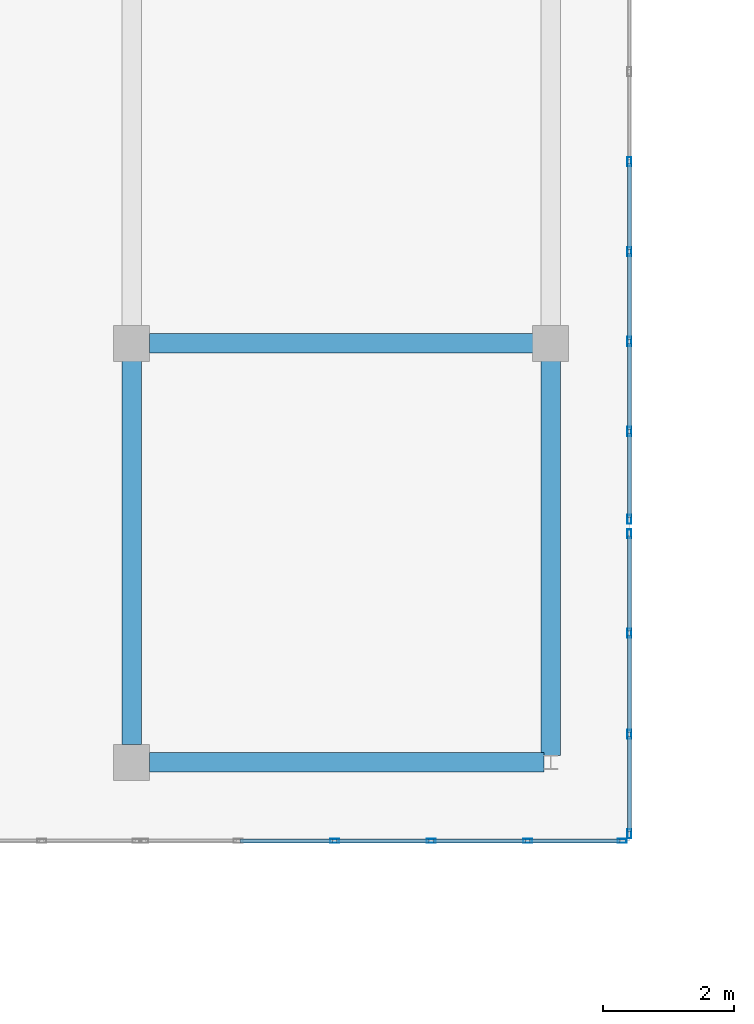
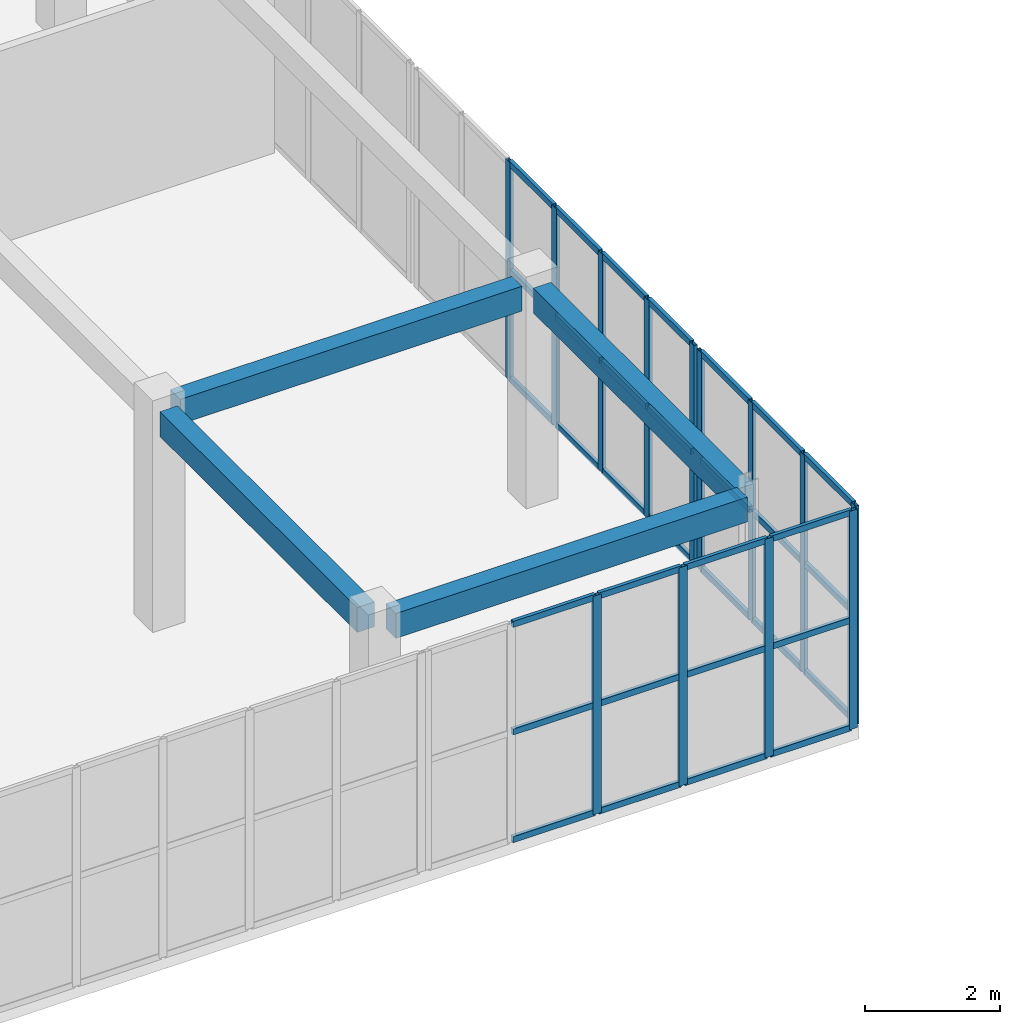
# One storey, part 42 of 140: 46 members, 4 beams, 3 elements without a shape of their own.
"""IFC4 building model written with IfcOpenShell, lengths in metres."""

from ifc_helpers import new_model, si_unit, direction, frame, origin, origin_2d, place, context, subcontext, project, spatial, rectangle, hollow_rectangle, extrude, material, layer, layer_set, material_profile, profile_set, type_object, element, aggregate, save


model = new_model("IFC4")

# Units and contexts
model_context = context("Model", 3, precision=1e-05, world=origin(), true_north=direction((0.0, 1.0)))
body_context = subcontext(model_context, "Body", "Model", "MODEL_VIEW")
ifc_project = project(units=[si_unit("LENGTHUNIT", "METRE"), si_unit("AREAUNIT", "SQUARE_METRE"), si_unit("VOLUMEUNIT", "CUBIC_METRE"), si_unit("PLANEANGLEUNIT", "RADIAN"), si_unit("MASSUNIT", "GRAM", prefix="KILO")], contexts=[model_context])

# Site, building, storey
site_placement = place(None, origin())
site = spatial("IfcSite", under=ifc_project, at=site_placement, CompositionType="ELEMENT")
building_placement = place(site_placement, origin())
building = spatial("IfcBuilding", under=site, at=building_placement, Name="Trelvath General Hospital", CompositionType="ELEMENT")
storey_placement = place(building_placement, frame((0.0, 0.0, 16.199951171875)))
storey = spatial("IfcBuildingStorey", under=building, at=storey_placement, Name="L04", CompositionType="ELEMENT", Elevation=16.199951171875)

# Beams
ifc_material_1 = material(Name="Concrete C35/45", Category="concrete")
ifc_material_profile_1 = material_profile(ifc_material_1, rectangle(XDim=0.300048828125, YDim=0.449951171875, at=origin_2d()), Name="RCB300x450")
ifc_profile_set_1 = profile_set([ifc_material_profile_1], Name="Concrete C35/45")
beam_type = type_object("IfcBeamType", Name="Beam RC300x450", PredefinedType="BEAM", material=ifc_profile_set_1)
beam_1_placement = place(storey_placement, frame((107.470947265625, 38.39990234375, 3.735107421875), z_axis=(1.0, 0.0, 0.0), x_axis=(0.0, 1.0, 0.0)))
element("IfcBeam", 1, at=beam_1_placement, inside=storey, type_object=beam_type, Name="Cube Interior Ring Beam CUBE-E-T1 L04", PredefinedType="BEAM", context=body_context, shape_type="SweptSolid", body=[
    extrude(rectangle(XDim=0.300048828125, YDim=0.449951171875, at=origin_2d()), origin(), (0.0, 0.0, 1.0), 6.02294921875),
])
for number, where, z_axis, x_axis, name in (
    (2, (107.470947265625, 44.800048828125, 3.735107421875), (1.0, 0.0, 0.0), (0.0, 1.0, 0.0), "Cube Interior Ring Beam CUBE-E-T1 L04"),
    (3, (107.199951171875, 38.6708984375, 3.735107421875), (0.0, 1.0, 0.0), (-1.0, 0.0, 0.0), "Cube Interior Ring Beam CUBE-E-T1 L04"),
):
    element("IfcBeam", number, at=place(storey_placement, frame(where, z_axis=z_axis, x_axis=x_axis)), inside=storey, type_object=beam_type, Name=name, PredefinedType="BEAM", context=body_context, shape_type="SweptSolid", body=[
        extrude(rectangle(XDim=0.300048828125, YDim=0.449951171875, at=origin_2d()), origin(), (0.0, 0.0, 1.0), 5.858154296875),
    ])
beam_2_placement = place(storey_placement, frame((113.60009765625, 38.506103515625, 3.735107421875), z_axis=(0.0, 1.0, 0.0), x_axis=(-1.0, 0.0, 0.0)))
element("IfcBeam", 4, at=beam_2_placement, inside=storey, type_object=beam_type, Name="Cube Interior Ring Beam CUBE-E-T1 L04", PredefinedType="BEAM", context=body_context, shape_type="SweptSolid", body=[
    extrude(rectangle(XDim=0.300048828125, YDim=0.449951171875, at=origin_2d()), origin(), (0.0, 0.0, 1.0), 6.02294921875),
])

# Curtain wall, members
ifc_material_2 = material(Name="Anodised aluminium and low-E glass", Category="aluminium")
ifc_layer_1 = layer(ifc_material_2, 0.139892578125)
ifc_layer_set_1 = layer_set([ifc_layer_1], Name="Anodised aluminium and low-E glass")
curtain_wall_type_1 = type_object("IfcCurtainWallType", Name="CW CrystalCube 737 396 14", PredefinedType="USERDEFINED", material=ifc_layer_set_1)
curtain_wall_1_placement = place(storey_placement, origin())
curtain_wall_1 = element("IfcCurtainWall", 5, at=curtain_wall_1_placement, inside=storey, type_object=curtain_wall_type_1, Name="Crystal Cube Curtain Wall CUBE-E-T1 S3 L04", ObjectType="Unitised Glazed Curtain Wall", PredefinedType="USERDEFINED")
ifc_material_3 = material(Name="Anodised aluminium", Category="aluminium")
ifc_material_profile_2 = material_profile(ifc_material_3, hollow_rectangle(XDim=0.06005859375, YDim=0.139892578125, WallThickness=0.00390625, at=origin_2d()), Name="RHS60x140x4")
ifc_profile_set_2 = profile_set([ifc_material_profile_2], Name="Anodised aluminium")
member_type_1 = type_object("IfcMemberType", Name="CurtainMullion 60x140", PredefinedType="MULLION", material=ifc_profile_set_2)
member_1_placement = place(storey_placement, frame((114.68994140625, 37.199951171875, 0.0), z_axis=(0.0, 0.0, 1.0), x_axis=(0.0, -1.0, 0.0)))
member_1 = element("IfcMember", 6, at=member_1_placement, type_object=member_type_1, Name="CW-284 mullion 1", PredefinedType="MULLION", context=body_context, shape_type="SweptSolid", body=[
    extrude(hollow_rectangle(XDim=0.06005859375, YDim=0.139892578125, WallThickness=0.00390625, at=origin_2d()), origin(), (0.0, 0.0, 1.0), 3.9599609375),
])
member_2_placement = place(storey_placement, frame((113.24658203125, 37.199951171875, 0.0), z_axis=(0.0, 0.0, 1.0), x_axis=(0.0, -1.0, 0.0)))
member_2 = element("IfcMember", 7, at=member_2_placement, type_object=member_type_1, Name="CW-284 mullion 2", PredefinedType="MULLION", context=body_context, shape_type="SweptSolid", body=[
    extrude(hollow_rectangle(XDim=0.06005859375, YDim=0.139892578125, WallThickness=0.00390625, at=origin_2d()), origin(), (0.0, 0.0, 1.0), 3.9599609375),
])
member_3_placement = place(storey_placement, frame((111.7734375, 37.199951171875, 0.0), z_axis=(0.0, 0.0, 1.0), x_axis=(0.0, -1.0, 0.0)))
member_3 = element("IfcMember", 8, at=member_3_placement, type_object=member_type_1, Name="CW-284 mullion 3", PredefinedType="MULLION", context=body_context, shape_type="SweptSolid", body=[
    extrude(hollow_rectangle(XDim=0.06005859375, YDim=0.139892578125, WallThickness=0.00390625, at=origin_2d()), origin(), (0.0, 0.0, 1.0), 3.9599609375),
])
member_4_placement = place(storey_placement, frame((110.300048828125, 37.199951171875, 0.0), z_axis=(0.0, 0.0, 1.0), x_axis=(0.0, -1.0, 0.0)))
member_4 = element("IfcMember", 9, at=member_4_placement, type_object=member_type_1, Name="CW-284 mullion 4", PredefinedType="MULLION", context=body_context, shape_type="SweptSolid", body=[
    extrude(hollow_rectangle(XDim=0.06005859375, YDim=0.139892578125, WallThickness=0.00390625, at=origin_2d()), origin(), (0.0, 0.0, 1.0), 3.9599609375),
])

ifc_material_4 = material(Name="Anodised aluminium and low-E glass", Category="aluminium")
ifc_layer_2 = layer(ifc_material_4, 0.139892578125)
ifc_layer_set_2 = layer_set([ifc_layer_2], Name="Anodised aluminium and low-E glass")
curtain_wall_type_2 = type_object("IfcCurtainWallType", Name="CW CrystalCube 464 396 14", PredefinedType="USERDEFINED", material=ifc_layer_set_2)
curtain_wall_2_placement = place(storey_placement, origin())
curtain_wall_2 = element("IfcCurtainWall", 10, at=curtain_wall_2_placement, inside=storey, type_object=curtain_wall_type_2, Name="Crystal Cube Curtain Wall CUBE-E-T1 E1 L04", ObjectType="Unitised Glazed Curtain Wall", PredefinedType="USERDEFINED")
member_5_placement = place(storey_placement, frame((114.800048828125, 41.889892578125, 0.0), z_axis=(0.0, 0.0, 1.0), x_axis=(1.0, 0.0, 0.0)))
member_5 = element("IfcMember", 11, at=member_5_placement, type_object=member_type_1, Name="CW-288 mullion 1", PredefinedType="MULLION", context=body_context, shape_type="SweptSolid", body=[
    extrude(hollow_rectangle(XDim=0.06005859375, YDim=0.139892578125, WallThickness=0.00390625, at=origin_2d()), origin(), (0.0, 0.0, 1.0), 3.9599609375),
])
member_6_placement = place(storey_placement, frame((114.800048828125, 40.373291015625, 0.0), z_axis=(0.0, 0.0, 1.0), x_axis=(1.0, 0.0, 0.0)))
member_6 = element("IfcMember", 12, at=member_6_placement, type_object=member_type_1, Name="CW-288 mullion 2", PredefinedType="MULLION", context=body_context, shape_type="SweptSolid", body=[
    extrude(hollow_rectangle(XDim=0.06005859375, YDim=0.139892578125, WallThickness=0.00390625, at=origin_2d()), origin(), (0.0, 0.0, 1.0), 3.9599609375),
])
member_7_placement = place(storey_placement, frame((114.800048828125, 38.82666015625, 0.0), z_axis=(0.0, 0.0, 1.0), x_axis=(1.0, 0.0, 0.0)))
member_7 = element("IfcMember", 13, at=member_7_placement, type_object=member_type_1, Name="CW-288 mullion 3", PredefinedType="MULLION", context=body_context, shape_type="SweptSolid", body=[
    extrude(hollow_rectangle(XDim=0.06005859375, YDim=0.139892578125, WallThickness=0.00390625, at=origin_2d()), origin(), (0.0, 0.0, 1.0), 3.9599609375),
])
member_8_placement = place(storey_placement, frame((114.800048828125, 37.31005859375, 0.0), z_axis=(0.0, 0.0, 1.0), x_axis=(1.0, 0.0, 0.0)))
member_8 = element("IfcMember", 14, at=member_8_placement, type_object=member_type_1, Name="CW-288 mullion 4", PredefinedType="MULLION", context=body_context, shape_type="SweptSolid", body=[
    extrude(hollow_rectangle(XDim=0.06005859375, YDim=0.139892578125, WallThickness=0.00390625, at=origin_2d()), origin(), (0.0, 0.0, 1.0), 3.9599609375),
])

ifc_material_5 = material(Name="Anodised aluminium and low-E glass", Category="aluminium")
ifc_layer_3 = layer(ifc_material_5, 0.139892578125)
ifc_layer_set_3 = layer_set([ifc_layer_3], Name="Anodised aluminium and low-E glass")
curtain_wall_type_3 = type_object("IfcCurtainWallType", Name="CW CrystalCube 824 396 14", PredefinedType="USERDEFINED", material=ifc_layer_set_3)
curtain_wall_3_placement = place(storey_placement, origin())
curtain_wall_3 = element("IfcCurtainWall", 15, at=curtain_wall_3_placement, inside=storey, type_object=curtain_wall_type_3, Name="Crystal Cube Curtain Wall CUBE-E-T1 E2 L04", ObjectType="Unitised Glazed Curtain Wall", PredefinedType="USERDEFINED")
member_9_placement = place(storey_placement, frame((114.800048828125, 47.5732421875, 0.0), z_axis=(0.0, 0.0, 1.0), x_axis=(1.0, 0.0, 0.0)))
member_9 = element("IfcMember", 16, at=member_9_placement, type_object=member_type_1, Name="CW-290 mullion 3", PredefinedType="MULLION", context=body_context, shape_type="SweptSolid", body=[
    extrude(hollow_rectangle(XDim=0.06005859375, YDim=0.139892578125, WallThickness=0.00390625, at=origin_2d()), origin(), (0.0, 0.0, 1.0), 3.9599609375),
])
member_10_placement = place(storey_placement, frame((114.800048828125, 46.199951171875, 0.0), z_axis=(0.0, 0.0, 1.0), x_axis=(1.0, 0.0, 0.0)))
member_10 = element("IfcMember", 17, at=member_10_placement, type_object=member_type_1, Name="CW-290 mullion 4", PredefinedType="MULLION", context=body_context, shape_type="SweptSolid", body=[
    extrude(hollow_rectangle(XDim=0.06005859375, YDim=0.139892578125, WallThickness=0.00390625, at=origin_2d()), origin(), (0.0, 0.0, 1.0), 3.9599609375),
])
member_11_placement = place(storey_placement, frame((114.800048828125, 44.82666015625, 0.0), z_axis=(0.0, 0.0, 1.0), x_axis=(1.0, 0.0, 0.0)))
member_11 = element("IfcMember", 18, at=member_11_placement, type_object=member_type_1, Name="CW-290 mullion 5", PredefinedType="MULLION", context=body_context, shape_type="SweptSolid", body=[
    extrude(hollow_rectangle(XDim=0.06005859375, YDim=0.139892578125, WallThickness=0.00390625, at=origin_2d()), origin(), (0.0, 0.0, 1.0), 3.9599609375),
])
member_12_placement = place(storey_placement, frame((114.800048828125, 43.453369140625, 0.0), z_axis=(0.0, 0.0, 1.0), x_axis=(1.0, 0.0, 0.0)))
member_12 = element("IfcMember", 19, at=member_12_placement, type_object=member_type_1, Name="CW-290 mullion 6", PredefinedType="MULLION", context=body_context, shape_type="SweptSolid", body=[
    extrude(hollow_rectangle(XDim=0.06005859375, YDim=0.139892578125, WallThickness=0.00390625, at=origin_2d()), origin(), (0.0, 0.0, 1.0), 3.9599609375),
])
member_13_placement = place(storey_placement, frame((114.800048828125, 42.110107421875, 0.0), z_axis=(0.0, 0.0, 1.0), x_axis=(1.0, 0.0, 0.0)))
member_13 = element("IfcMember", 20, at=member_13_placement, type_object=member_type_1, Name="CW-290 mullion 7", PredefinedType="MULLION", context=body_context, shape_type="SweptSolid", body=[
    extrude(hollow_rectangle(XDim=0.06005859375, YDim=0.139892578125, WallThickness=0.00390625, at=origin_2d()), origin(), (0.0, 0.0, 1.0), 3.9599609375),
])

# Member
ifc_material_6 = material(Name="Anodised aluminium", Category="aluminium")
ifc_material_profile_3 = material_profile(ifc_material_6, hollow_rectangle(XDim=0.06005859375, YDim=0.110107421875, WallThickness=0.00390625, at=origin_2d()), Name="RHS60x110x4")
ifc_profile_set_3 = profile_set([ifc_material_profile_3], Name="Anodised aluminium")
member_type_2 = type_object("IfcMemberType", Name="CurtainTransom 60x110", PredefinedType="USERDEFINED", material=ifc_profile_set_3)
member_14_placement = place(storey_placement, frame((114.659912109375, 37.199951171875, 0.030029296875), z_axis=(-1.0, 0.0, 0.0), x_axis=(0.0, -1.0, 0.0)))
member_14 = element("IfcMember", 21, at=member_14_placement, type_object=member_type_2, Name="CW-284 transom 1.1", ObjectType="TRANSOM", PredefinedType="USERDEFINED", context=body_context, shape_type="SweptSolid", body=[
    extrude(hollow_rectangle(XDim=0.06005859375, YDim=0.110107421875, WallThickness=0.00390625, at=origin_2d()), origin(), (0.0, 0.0, 1.0), 1.38330078125),
])

member_15_placement = place(storey_placement, frame((114.659912109375, 37.199951171875, 1.97998046875), z_axis=(-1.0, 0.0, 0.0), x_axis=(0.0, -1.0, 0.0)))
member_15 = element("IfcMember", 22, at=member_15_placement, type_object=member_type_2, Name="CW-284 transom 1.2", ObjectType="TRANSOM", PredefinedType="USERDEFINED", context=body_context, shape_type="SweptSolid", body=[
    extrude(hollow_rectangle(XDim=0.06005859375, YDim=0.110107421875, WallThickness=0.00390625, at=origin_2d()), origin(), (0.0, 0.0, 1.0), 1.38330078125),
])

member_16_placement = place(storey_placement, frame((114.659912109375, 37.199951171875, 3.929931640625), z_axis=(-1.0, 0.0, 0.0), x_axis=(0.0, -1.0, 0.0)))
member_16 = element("IfcMember", 23, at=member_16_placement, type_object=member_type_2, Name="CW-284 transom 1.3", ObjectType="TRANSOM", PredefinedType="USERDEFINED", context=body_context, shape_type="SweptSolid", body=[
    extrude(hollow_rectangle(XDim=0.06005859375, YDim=0.110107421875, WallThickness=0.00390625, at=origin_2d()), origin(), (0.0, 0.0, 1.0), 1.38330078125),
])

member_17_placement = place(storey_placement, frame((113.216552734375, 37.199951171875, 0.030029296875), z_axis=(-1.0, 0.0, 0.0), x_axis=(0.0, -1.0, 0.0)))
member_17 = element("IfcMember", 24, at=member_17_placement, type_object=member_type_2, Name="CW-284 transom 2.1", ObjectType="TRANSOM", PredefinedType="USERDEFINED", context=body_context, shape_type="SweptSolid", body=[
    extrude(hollow_rectangle(XDim=0.06005859375, YDim=0.110107421875, WallThickness=0.00390625, at=origin_2d()), origin(), (0.0, 0.0, 1.0), 1.413330078125),
])

member_18_placement = place(storey_placement, frame((113.216552734375, 37.199951171875, 1.97998046875), z_axis=(-1.0, 0.0, 0.0), x_axis=(0.0, -1.0, 0.0)))
member_18 = element("IfcMember", 25, at=member_18_placement, type_object=member_type_2, Name="CW-284 transom 2.2", ObjectType="TRANSOM", PredefinedType="USERDEFINED", context=body_context, shape_type="SweptSolid", body=[
    extrude(hollow_rectangle(XDim=0.06005859375, YDim=0.110107421875, WallThickness=0.00390625, at=origin_2d()), origin(), (0.0, 0.0, 1.0), 1.413330078125),
])

member_19_placement = place(storey_placement, frame((113.216552734375, 37.199951171875, 3.929931640625), z_axis=(-1.0, 0.0, 0.0), x_axis=(0.0, -1.0, 0.0)))
member_19 = element("IfcMember", 26, at=member_19_placement, type_object=member_type_2, Name="CW-284 transom 2.3", ObjectType="TRANSOM", PredefinedType="USERDEFINED", context=body_context, shape_type="SweptSolid", body=[
    extrude(hollow_rectangle(XDim=0.06005859375, YDim=0.110107421875, WallThickness=0.00390625, at=origin_2d()), origin(), (0.0, 0.0, 1.0), 1.413330078125),
])

member_20_placement = place(storey_placement, frame((111.743408203125, 37.199951171875, 0.030029296875), z_axis=(-1.0, 0.0, 0.0), x_axis=(0.0, -1.0, 0.0)))
member_20 = element("IfcMember", 27, at=member_20_placement, type_object=member_type_2, Name="CW-284 transom 3.1", ObjectType="TRANSOM", PredefinedType="USERDEFINED", context=body_context, shape_type="SweptSolid", body=[
    extrude(hollow_rectangle(XDim=0.06005859375, YDim=0.110107421875, WallThickness=0.00390625, at=origin_2d()), origin(), (0.0, 0.0, 1.0), 1.413330078125),
])

member_21_placement = place(storey_placement, frame((111.743408203125, 37.199951171875, 1.97998046875), z_axis=(-1.0, 0.0, 0.0), x_axis=(0.0, -1.0, 0.0)))
member_21 = element("IfcMember", 28, at=member_21_placement, type_object=member_type_2, Name="CW-284 transom 3.2", ObjectType="TRANSOM", PredefinedType="USERDEFINED", context=body_context, shape_type="SweptSolid", body=[
    extrude(hollow_rectangle(XDim=0.06005859375, YDim=0.110107421875, WallThickness=0.00390625, at=origin_2d()), origin(), (0.0, 0.0, 1.0), 1.413330078125),
])

member_22_placement = place(storey_placement, frame((111.743408203125, 37.199951171875, 3.929931640625), z_axis=(-1.0, 0.0, 0.0), x_axis=(0.0, -1.0, 0.0)))
member_22 = element("IfcMember", 29, at=member_22_placement, type_object=member_type_2, Name="CW-284 transom 3.3", ObjectType="TRANSOM", PredefinedType="USERDEFINED", context=body_context, shape_type="SweptSolid", body=[
    extrude(hollow_rectangle(XDim=0.06005859375, YDim=0.110107421875, WallThickness=0.00390625, at=origin_2d()), origin(), (0.0, 0.0, 1.0), 1.413330078125),
])

member_23_placement = place(storey_placement, frame((110.27001953125, 37.199951171875, 0.030029296875), z_axis=(-1.0, 0.0, 0.0), x_axis=(0.0, -1.0, 0.0)))
member_23 = element("IfcMember", 30, at=member_23_placement, type_object=member_type_2, Name="CW-284 transom 4.1", ObjectType="TRANSOM", PredefinedType="USERDEFINED", context=body_context, shape_type="SweptSolid", body=[
    extrude(hollow_rectangle(XDim=0.06005859375, YDim=0.110107421875, WallThickness=0.00390625, at=origin_2d()), origin(), (0.0, 0.0, 1.0), 1.413330078125),
])

member_24_placement = place(storey_placement, frame((110.27001953125, 37.199951171875, 1.97998046875), z_axis=(-1.0, 0.0, 0.0), x_axis=(0.0, -1.0, 0.0)))
member_24 = element("IfcMember", 31, at=member_24_placement, type_object=member_type_2, Name="CW-284 transom 4.2", ObjectType="TRANSOM", PredefinedType="USERDEFINED", context=body_context, shape_type="SweptSolid", body=[
    extrude(hollow_rectangle(XDim=0.06005859375, YDim=0.110107421875, WallThickness=0.00390625, at=origin_2d()), origin(), (0.0, 0.0, 1.0), 1.413330078125),
])

member_25_placement = place(storey_placement, frame((110.27001953125, 37.199951171875, 3.929931640625), z_axis=(-1.0, 0.0, 0.0), x_axis=(0.0, -1.0, 0.0)))
member_25 = element("IfcMember", 32, at=member_25_placement, type_object=member_type_2, Name="CW-284 transom 4.3", ObjectType="TRANSOM", PredefinedType="USERDEFINED", context=body_context, shape_type="SweptSolid", body=[
    extrude(hollow_rectangle(XDim=0.06005859375, YDim=0.110107421875, WallThickness=0.00390625, at=origin_2d()), origin(), (0.0, 0.0, 1.0), 1.413330078125),
])

aggregate(curtain_wall_1, [member_1, member_2, member_3, member_4, member_14, member_15, member_16, member_17, member_18, member_19, member_20, member_21, member_22, member_23, member_24, member_25])

member_26_placement = place(storey_placement, frame((114.800048828125, 41.860107421875, 0.030029296875), z_axis=(0.0, -1.0, 0.0), x_axis=(1.0, 0.0, 0.0)))
member_26 = element("IfcMember", 33, at=member_26_placement, type_object=member_type_2, Name="CW-288 transom 1.1", ObjectType="TRANSOM", PredefinedType="USERDEFINED", context=body_context, shape_type="SweptSolid", body=[
    extrude(hollow_rectangle(XDim=0.06005859375, YDim=0.110107421875, WallThickness=0.00390625, at=origin_2d()), origin(), (0.0, 0.0, 1.0), 1.456787109375),
])

member_27_placement = place(storey_placement, frame((114.800048828125, 41.860107421875, 1.97998046875), z_axis=(0.0, -1.0, 0.0), x_axis=(1.0, 0.0, 0.0)))
member_27 = element("IfcMember", 34, at=member_27_placement, type_object=member_type_2, Name="CW-288 transom 1.2", ObjectType="TRANSOM", PredefinedType="USERDEFINED", context=body_context, shape_type="SweptSolid", body=[
    extrude(hollow_rectangle(XDim=0.06005859375, YDim=0.110107421875, WallThickness=0.00390625, at=origin_2d()), origin(), (0.0, 0.0, 1.0), 1.456787109375),
])

member_28_placement = place(storey_placement, frame((114.800048828125, 41.860107421875, 3.929931640625), z_axis=(0.0, -1.0, 0.0), x_axis=(1.0, 0.0, 0.0)))
member_28 = element("IfcMember", 35, at=member_28_placement, type_object=member_type_2, Name="CW-288 transom 1.3", ObjectType="TRANSOM", PredefinedType="USERDEFINED", context=body_context, shape_type="SweptSolid", body=[
    extrude(hollow_rectangle(XDim=0.06005859375, YDim=0.110107421875, WallThickness=0.00390625, at=origin_2d()), origin(), (0.0, 0.0, 1.0), 1.456787109375),
])

member_29_placement = place(storey_placement, frame((114.800048828125, 40.34326171875, 0.030029296875), z_axis=(0.0, -1.0, 0.0), x_axis=(1.0, 0.0, 0.0)))
member_29 = element("IfcMember", 36, at=member_29_placement, type_object=member_type_2, Name="CW-288 transom 2.1", ObjectType="TRANSOM", PredefinedType="USERDEFINED", context=body_context, shape_type="SweptSolid", body=[
    extrude(hollow_rectangle(XDim=0.06005859375, YDim=0.110107421875, WallThickness=0.00390625, at=origin_2d()), origin(), (0.0, 0.0, 1.0), 1.486572265625),
])

member_30_placement = place(storey_placement, frame((114.800048828125, 40.34326171875, 1.97998046875), z_axis=(0.0, -1.0, 0.0), x_axis=(1.0, 0.0, 0.0)))
member_30 = element("IfcMember", 37, at=member_30_placement, type_object=member_type_2, Name="CW-288 transom 2.2", ObjectType="TRANSOM", PredefinedType="USERDEFINED", context=body_context, shape_type="SweptSolid", body=[
    extrude(hollow_rectangle(XDim=0.06005859375, YDim=0.110107421875, WallThickness=0.00390625, at=origin_2d()), origin(), (0.0, 0.0, 1.0), 1.486572265625),
])

member_31_placement = place(storey_placement, frame((114.800048828125, 40.34326171875, 3.929931640625), z_axis=(0.0, -1.0, 0.0), x_axis=(1.0, 0.0, 0.0)))
member_31 = element("IfcMember", 38, at=member_31_placement, type_object=member_type_2, Name="CW-288 transom 2.3", ObjectType="TRANSOM", PredefinedType="USERDEFINED", context=body_context, shape_type="SweptSolid", body=[
    extrude(hollow_rectangle(XDim=0.06005859375, YDim=0.110107421875, WallThickness=0.00390625, at=origin_2d()), origin(), (0.0, 0.0, 1.0), 1.486572265625),
])

member_32_placement = place(storey_placement, frame((114.800048828125, 38.796630859375, 0.030029296875), z_axis=(0.0, -1.0, 0.0), x_axis=(1.0, 0.0, 0.0)))
member_32 = element("IfcMember", 39, at=member_32_placement, type_object=member_type_2, Name="CW-288 transom 3.1", ObjectType="TRANSOM", PredefinedType="USERDEFINED", context=body_context, shape_type="SweptSolid", body=[
    extrude(hollow_rectangle(XDim=0.06005859375, YDim=0.110107421875, WallThickness=0.00390625, at=origin_2d()), origin(), (0.0, 0.0, 1.0), 1.45654296875),
])

member_33_placement = place(storey_placement, frame((114.800048828125, 38.796630859375, 1.97998046875), z_axis=(0.0, -1.0, 0.0), x_axis=(1.0, 0.0, 0.0)))
member_33 = element("IfcMember", 40, at=member_33_placement, type_object=member_type_2, Name="CW-288 transom 3.2", ObjectType="TRANSOM", PredefinedType="USERDEFINED", context=body_context, shape_type="SweptSolid", body=[
    extrude(hollow_rectangle(XDim=0.06005859375, YDim=0.110107421875, WallThickness=0.00390625, at=origin_2d()), origin(), (0.0, 0.0, 1.0), 1.45654296875),
])

member_34_placement = place(storey_placement, frame((114.800048828125, 38.796630859375, 3.929931640625), z_axis=(0.0, -1.0, 0.0), x_axis=(1.0, 0.0, 0.0)))
member_34 = element("IfcMember", 41, at=member_34_placement, type_object=member_type_2, Name="CW-288 transom 3.3", ObjectType="TRANSOM", PredefinedType="USERDEFINED", context=body_context, shape_type="SweptSolid", body=[
    extrude(hollow_rectangle(XDim=0.06005859375, YDim=0.110107421875, WallThickness=0.00390625, at=origin_2d()), origin(), (0.0, 0.0, 1.0), 1.45654296875),
])

aggregate(curtain_wall_2, [member_5, member_6, member_7, member_8, member_26, member_27, member_28, member_29, member_30, member_31, member_32, member_33, member_34])

member_35_placement = place(storey_placement, frame((114.800048828125, 47.543212890625, 0.030029296875), z_axis=(0.0, -1.0, 0.0), x_axis=(1.0, 0.0, 0.0)))
member_35 = element("IfcMember", 42, at=member_35_placement, type_object=member_type_2, Name="CW-290 transom 3.1", ObjectType="TRANSOM", PredefinedType="USERDEFINED", context=body_context, shape_type="SweptSolid", body=[
    extrude(hollow_rectangle(XDim=0.06005859375, YDim=0.110107421875, WallThickness=0.00390625, at=origin_2d()), origin(), (0.0, 0.0, 1.0), 1.313232421875),
])

member_36_placement = place(storey_placement, frame((114.800048828125, 47.543212890625, 1.97998046875), z_axis=(0.0, -1.0, 0.0), x_axis=(1.0, 0.0, 0.0)))
member_36 = element("IfcMember", 43, at=member_36_placement, type_object=member_type_2, Name="CW-290 transom 3.2", ObjectType="TRANSOM", PredefinedType="USERDEFINED", context=body_context, shape_type="SweptSolid", body=[
    extrude(hollow_rectangle(XDim=0.06005859375, YDim=0.110107421875, WallThickness=0.00390625, at=origin_2d()), origin(), (0.0, 0.0, 1.0), 1.313232421875),
])

member_37_placement = place(storey_placement, frame((114.800048828125, 47.543212890625, 3.929931640625), z_axis=(0.0, -1.0, 0.0), x_axis=(1.0, 0.0, 0.0)))
member_37 = element("IfcMember", 44, at=member_37_placement, type_object=member_type_2, Name="CW-290 transom 3.3", ObjectType="TRANSOM", PredefinedType="USERDEFINED", context=body_context, shape_type="SweptSolid", body=[
    extrude(hollow_rectangle(XDim=0.06005859375, YDim=0.110107421875, WallThickness=0.00390625, at=origin_2d()), origin(), (0.0, 0.0, 1.0), 1.313232421875),
])

member_38_placement = place(storey_placement, frame((114.800048828125, 46.169921875, 0.030029296875), z_axis=(0.0, -1.0, 0.0), x_axis=(1.0, 0.0, 0.0)))
member_38 = element("IfcMember", 45, at=member_38_placement, type_object=member_type_2, Name="CW-290 transom 4.1", ObjectType="TRANSOM", PredefinedType="USERDEFINED", context=body_context, shape_type="SweptSolid", body=[
    extrude(hollow_rectangle(XDim=0.06005859375, YDim=0.110107421875, WallThickness=0.00390625, at=origin_2d()), origin(), (0.0, 0.0, 1.0), 1.313232421875),
])

member_39_placement = place(storey_placement, frame((114.800048828125, 46.169921875, 1.97998046875), z_axis=(0.0, -1.0, 0.0), x_axis=(1.0, 0.0, 0.0)))
member_39 = element("IfcMember", 46, at=member_39_placement, type_object=member_type_2, Name="CW-290 transom 4.2", ObjectType="TRANSOM", PredefinedType="USERDEFINED", context=body_context, shape_type="SweptSolid", body=[
    extrude(hollow_rectangle(XDim=0.06005859375, YDim=0.110107421875, WallThickness=0.00390625, at=origin_2d()), origin(), (0.0, 0.0, 1.0), 1.313232421875),
])

member_40_placement = place(storey_placement, frame((114.800048828125, 46.169921875, 3.929931640625), z_axis=(0.0, -1.0, 0.0), x_axis=(1.0, 0.0, 0.0)))
member_40 = element("IfcMember", 47, at=member_40_placement, type_object=member_type_2, Name="CW-290 transom 4.3", ObjectType="TRANSOM", PredefinedType="USERDEFINED", context=body_context, shape_type="SweptSolid", body=[
    extrude(hollow_rectangle(XDim=0.06005859375, YDim=0.110107421875, WallThickness=0.00390625, at=origin_2d()), origin(), (0.0, 0.0, 1.0), 1.313232421875),
])

member_41_placement = place(storey_placement, frame((114.800048828125, 44.796630859375, 0.030029296875), z_axis=(0.0, -1.0, 0.0), x_axis=(1.0, 0.0, 0.0)))
member_41 = element("IfcMember", 48, at=member_41_placement, type_object=member_type_2, Name="CW-290 transom 5.1", ObjectType="TRANSOM", PredefinedType="USERDEFINED", context=body_context, shape_type="SweptSolid", body=[
    extrude(hollow_rectangle(XDim=0.06005859375, YDim=0.110107421875, WallThickness=0.00390625, at=origin_2d()), origin(), (0.0, 0.0, 1.0), 1.313232421875),
])

member_42_placement = place(storey_placement, frame((114.800048828125, 44.796630859375, 1.97998046875), z_axis=(0.0, -1.0, 0.0), x_axis=(1.0, 0.0, 0.0)))
member_42 = element("IfcMember", 49, at=member_42_placement, type_object=member_type_2, Name="CW-290 transom 5.2", ObjectType="TRANSOM", PredefinedType="USERDEFINED", context=body_context, shape_type="SweptSolid", body=[
    extrude(hollow_rectangle(XDim=0.06005859375, YDim=0.110107421875, WallThickness=0.00390625, at=origin_2d()), origin(), (0.0, 0.0, 1.0), 1.313232421875),
])

member_43_placement = place(storey_placement, frame((114.800048828125, 44.796630859375, 3.929931640625), z_axis=(0.0, -1.0, 0.0), x_axis=(1.0, 0.0, 0.0)))
member_43 = element("IfcMember", 50, at=member_43_placement, type_object=member_type_2, Name="CW-290 transom 5.3", ObjectType="TRANSOM", PredefinedType="USERDEFINED", context=body_context, shape_type="SweptSolid", body=[
    extrude(hollow_rectangle(XDim=0.06005859375, YDim=0.110107421875, WallThickness=0.00390625, at=origin_2d()), origin(), (0.0, 0.0, 1.0), 1.313232421875),
])

member_44_placement = place(storey_placement, frame((114.800048828125, 43.42333984375, 0.030029296875), z_axis=(0.0, -1.0, 0.0), x_axis=(1.0, 0.0, 0.0)))
member_44 = element("IfcMember", 51, at=member_44_placement, type_object=member_type_2, Name="CW-290 transom 6.1", ObjectType="TRANSOM", PredefinedType="USERDEFINED", context=body_context, shape_type="SweptSolid", body=[
    extrude(hollow_rectangle(XDim=0.06005859375, YDim=0.110107421875, WallThickness=0.00390625, at=origin_2d()), origin(), (0.0, 0.0, 1.0), 1.283447265625),
])

member_45_placement = place(storey_placement, frame((114.800048828125, 43.42333984375, 1.97998046875), z_axis=(0.0, -1.0, 0.0), x_axis=(1.0, 0.0, 0.0)))
member_45 = element("IfcMember", 52, at=member_45_placement, type_object=member_type_2, Name="CW-290 transom 6.2", ObjectType="TRANSOM", PredefinedType="USERDEFINED", context=body_context, shape_type="SweptSolid", body=[
    extrude(hollow_rectangle(XDim=0.06005859375, YDim=0.110107421875, WallThickness=0.00390625, at=origin_2d()), origin(), (0.0, 0.0, 1.0), 1.283447265625),
])

member_46_placement = place(storey_placement, frame((114.800048828125, 43.42333984375, 3.929931640625), z_axis=(0.0, -1.0, 0.0), x_axis=(1.0, 0.0, 0.0)))
member_46 = element("IfcMember", 53, at=member_46_placement, type_object=member_type_2, Name="CW-290 transom 6.3", ObjectType="TRANSOM", PredefinedType="USERDEFINED", context=body_context, shape_type="SweptSolid", body=[
    extrude(hollow_rectangle(XDim=0.06005859375, YDim=0.110107421875, WallThickness=0.00390625, at=origin_2d()), origin(), (0.0, 0.0, 1.0), 1.283447265625),
])

aggregate(curtain_wall_3, [member_9, member_10, member_11, member_12, member_13, member_35, member_36, member_37, member_38, member_39, member_40, member_41, member_42, member_43, member_44, member_45, member_46])

save(model, "model.ifc")
